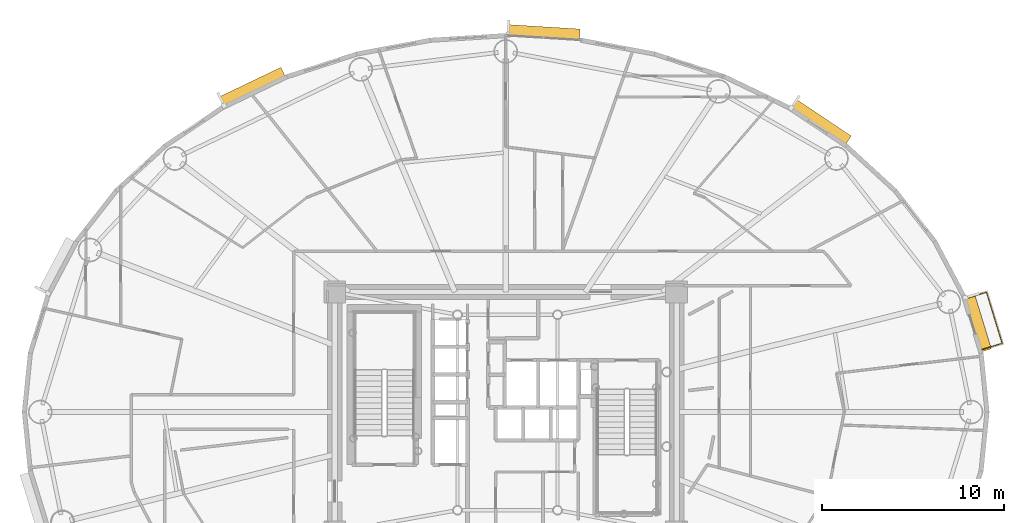
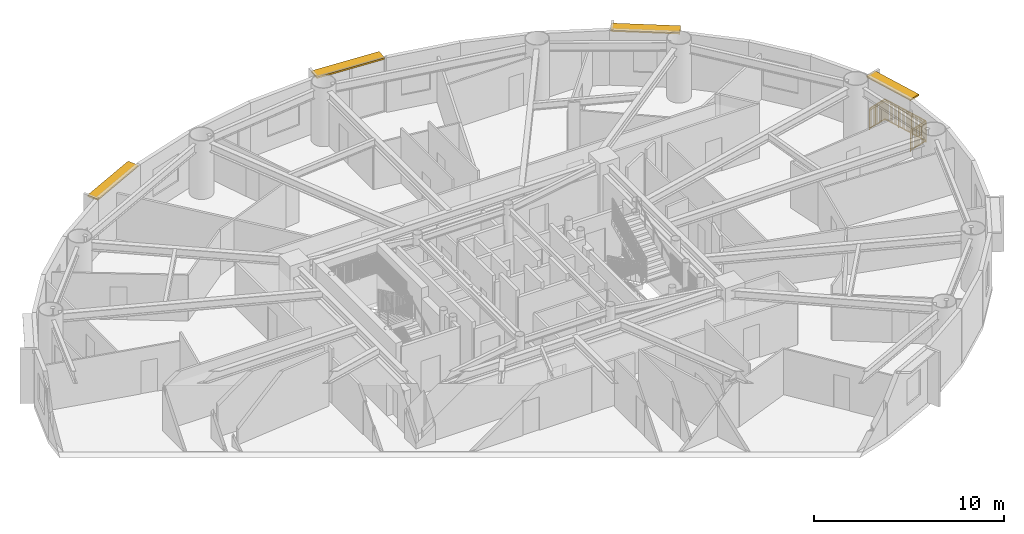
# One storey, part 18 of 18: 4 shading devices, 1 railing.
"""IFC4 building model written with IfcOpenShell, lengths in metres."""

from ifc_helpers import new_model, si_unit, direction, frame, origin, origin_2d, place, context, subcontext, project, spatial, rectangle, extrude, source, transform, mapped, material, layer, layer_set, type_object, element, save


model = new_model("IFC4")

# Units and contexts
model_context = context("Model", 3, precision=1e-05, world=origin(), true_north=direction((0.0, 1.0)))
body_context = subcontext(model_context, "Body", "Model", "MODEL_VIEW")
ifc_project = project(units=[si_unit("LENGTHUNIT", "METRE"), si_unit("AREAUNIT", "SQUARE_METRE"), si_unit("VOLUMEUNIT", "CUBIC_METRE"), si_unit("PLANEANGLEUNIT", "RADIAN"), si_unit("MASSUNIT", "GRAM", prefix="KILO")], contexts=[model_context])

# Site, building, storey
site_placement = place(None, origin())
site = spatial("IfcSite", under=ifc_project, at=site_placement, CompositionType="ELEMENT")
building_placement = place(site_placement, origin())
building = spatial("IfcBuilding", under=site, at=building_placement, Name="Linh Dai School and Residence Tower", CompositionType="ELEMENT")
storey_placement = place(building_placement, frame((0.0, 0.0, 178.64990234375)))
storey = spatial("IfcBuildingStorey", under=building, at=storey_placement, Name="L43", CompositionType="ELEMENT", Elevation=178.64990234375)

# Shading devices
ifc_material_1 = material(Name="Terracotta Ceramic Sunshade", Category="masonry")
ifc_layer = layer(ifc_material_1, 0.10009765625)
ifc_layer_set = layer_set([ifc_layer], Name="Terracotta Ceramic Sunshade")
shading_device_type = type_object("IfcShadingDeviceType", Name="SHD-TC-650", PredefinedType="USERDEFINED", material=ifc_layer_set)
shared_shape_1 = source(origin(), body_context, "Body", "SweptSolid", [
    extrude(rectangle(XDim=3.168212890625, YDim=0.64990234375, at=origin_2d()), origin(), (0.0, 0.0, 1.0), 0.10009765625),
])
shading_device_1_placement = place(storey_placement, frame((61.938720703125, 31.894775390625, 3.380126953125), z_axis=(0.0, 0.0, 1.0), x_axis=(0.293121969301, -0.956075055167, 0.0)))
element("IfcShadingDevice", 1, at=shading_device_1_placement, inside=storey, type_object=shading_device_type, Name="L43 Terracotta Horizontal Sunshade Band 02", ObjectType="SUNSHADE", PredefinedType="USERDEFINED", context=body_context, shape_type="MappedRepresentation", body=[
    mapped(shared_shape_1, transform((0.0, 0.0, 0.0), x_axis=(1.0, 0.0, 0.0), y_axis=(0.0, 1.0, 0.0), z_axis=(0.0, 0.0, 1.0), scale=1.0)),
])
shared_shape_2 = source(origin(), body_context, "Body", "SweptSolid", [
    extrude(rectangle(XDim=3.64794921875, YDim=0.64990234375, at=origin_2d()), origin(), (0.0, 0.0, 1.0), 0.10009765625),
])
shading_device_2_placement = place(storey_placement, frame((53.31103515625, 42.923828125, 3.380126953125), z_axis=(0.0, 0.0, 1.0), x_axis=(0.831228338651, -0.555931154932, 0.0)))
element("IfcShadingDevice", 2, at=shading_device_2_placement, inside=storey, type_object=shading_device_type, Name="L43 Terracotta Horizontal Sunshade Band 06", ObjectType="SUNSHADE", PredefinedType="USERDEFINED", context=body_context, shape_type="MappedRepresentation", body=[
    mapped(shared_shape_2, transform((0.0, 0.0, 0.0), x_axis=(1.0, 0.0, 0.0), y_axis=(0.0, 1.0, 0.0), z_axis=(0.0, 0.0, 1.0), scale=1.0)),
])
shared_shape_3 = source(origin(), body_context, "Body", "SweptSolid", [
    extrude(rectangle(XDim=3.987548828125, YDim=0.64990234375, at=origin_2d()), origin(), (0.0, 0.0, 1.0), 0.10009765625),
])
shading_device_3_placement = place(storey_placement, frame((38.09033203125, 47.86181640625, 3.380126953125), z_axis=(0.0, 0.0, 1.0), x_axis=(0.99810632076, -0.061512376467, 0.0)))
element("IfcShadingDevice", 3, at=shading_device_3_placement, inside=storey, type_object=shading_device_type, Name="L43 Terracotta Horizontal Sunshade Band 10", ObjectType="SUNSHADE", PredefinedType="USERDEFINED", context=body_context, shape_type="MappedRepresentation", body=[
    mapped(shared_shape_3, transform((0.0, 0.0, 0.0), x_axis=(1.0, 0.0, 0.0), y_axis=(0.0, 1.0, 0.0), z_axis=(0.0, 0.0, 1.0), scale=1.0)),
])
shared_shape_4 = source(origin(), body_context, "Body", "SweptSolid", [
    extrude(rectangle(XDim=3.773193359375, YDim=0.64990234375, at=origin_2d()), origin(), (0.0, 0.0, 1.0), 0.10009765625),
])
shading_device_4_placement = place(storey_placement, frame((22.0751953125, 44.850341796875, 3.380126953125), z_axis=(0.0, 0.0, 1.0), x_axis=(0.901569306779, 0.432634701653, 0.0)))
element("IfcShadingDevice", 4, at=shading_device_4_placement, inside=storey, type_object=shading_device_type, Name="L43 Terracotta Horizontal Sunshade Band 14", ObjectType="SUNSHADE", PredefinedType="USERDEFINED", context=body_context, shape_type="MappedRepresentation", body=[
    mapped(shared_shape_4, transform((0.0, 0.0, 0.0), x_axis=(1.0, 0.0, 0.0), y_axis=(0.0, 1.0, 0.0), z_axis=(0.0, 0.0, 1.0), scale=1.0)),
])

# Railing
ifc_material_2 = material(Name="Structural Steel S355JR", Category="steel")
railing_type = type_object("IfcRailingType", Name="RL-BAL-1400", PredefinedType="BALUSTRADE", material=ifc_material_2)
shared_shape_5 = source(origin(), body_context, "Body", "SweptSolid", [
    extrude(rectangle(XDim=0.048095703125, YDim=0.048095703125, at=origin_2d()), frame((0.0, 0.0, 1.3759765625), z_axis=(0.95606039398, 0.293169785386, 0.0), x_axis=(-0.293169785386, 0.95606039398, 0.0)), (0.0, 0.0, 1.0), 1.179931640625),
    extrude(rectangle(XDim=0.048095703125, YDim=0.048095703125, at=origin_2d()), frame((0.0, 0.0, 0.10009765625), z_axis=(0.95606039398, 0.293169785386, 0.0), x_axis=(-0.293169785386, 0.95606039398, 0.0)), (0.0, 0.0, 1.0), 1.179931640625),
    extrude(rectangle(XDim=0.030029296875, YDim=0.030029296875, at=origin_2d()), frame((0.0, 0.0, 1.239990234375), z_axis=(0.95606039398, 0.293169785386, 0.0), x_axis=(-0.293169785386, 0.95606039398, 0.0)), (0.0, 0.0, 1.0), 1.179931640625),
    extrude(rectangle(XDim=0.02001953125, YDim=0.02001953125, at=origin_2d()), frame((0.086669921875, 0.026611328125, 0.10009765625)), (0.0, 0.0, 1.0), 1.251708984375),
    extrude(rectangle(XDim=0.02001953125, YDim=0.02001953125, at=origin_2d()), frame((0.173583984375, 0.05322265625, 0.10009765625)), (0.0, 0.0, 1.0), 1.251708984375),
    extrude(rectangle(XDim=0.02001953125, YDim=0.02001953125, at=origin_2d()), frame((0.26025390625, 0.079833984375, 0.10009765625)), (0.0, 0.0, 1.0), 1.251708984375),
    extrude(rectangle(XDim=0.02001953125, YDim=0.02001953125, at=origin_2d()), frame((0.34716796875, 0.1064453125, 0.10009765625)), (0.0, 0.0, 1.0), 1.251708984375),
    extrude(rectangle(XDim=0.02001953125, YDim=0.02001953125, at=origin_2d()), frame((0.433837890625, 0.133056640625, 0.10009765625)), (0.0, 0.0, 1.0), 1.251708984375),
    extrude(rectangle(XDim=0.02001953125, YDim=0.02001953125, at=origin_2d()), frame((0.520751953125, 0.15966796875, 0.10009765625)), (0.0, 0.0, 1.0), 1.251708984375),
    extrude(rectangle(XDim=0.02001953125, YDim=0.02001953125, at=origin_2d()), frame((0.607421875, 0.186279296875, 0.10009765625)), (0.0, 0.0, 1.0), 1.251708984375),
    extrude(rectangle(XDim=0.02001953125, YDim=0.02001953125, at=origin_2d()), frame((0.6943359375, 0.212890625, 0.10009765625)), (0.0, 0.0, 1.0), 1.251708984375),
    extrude(rectangle(XDim=0.02001953125, YDim=0.02001953125, at=origin_2d()), frame((0.781005859375, 0.239501953125, 0.10009765625)), (0.0, 0.0, 1.0), 1.251708984375),
    extrude(rectangle(XDim=0.02001953125, YDim=0.02001953125, at=origin_2d()), frame((0.867919921875, 0.26611328125, 0.10009765625)), (0.0, 0.0, 1.0), 1.251708984375),
    extrude(rectangle(XDim=0.02001953125, YDim=0.02001953125, at=origin_2d()), frame((0.95458984375, 0.292724609375, 0.10009765625)), (0.0, 0.0, 1.0), 1.251708984375),
    extrude(rectangle(XDim=0.02001953125, YDim=0.02001953125, at=origin_2d()), frame((1.04150390625, 0.3193359375, 0.10009765625)), (0.0, 0.0, 1.0), 1.251708984375),
    extrude(rectangle(XDim=0.048095703125, YDim=0.048095703125, at=origin_2d()), frame((1.128173828125, 0.345947265625, 1.3759765625), z_axis=(0.293117094057, -0.956076549849, 0.0), x_axis=(0.956076549849, 0.293117094057, 0.0)), (0.0, 0.0, 1.0), 2.940185546875),
    extrude(rectangle(XDim=0.048095703125, YDim=0.048095703125, at=origin_2d()), frame((1.128173828125, 0.345947265625, 0.10009765625), z_axis=(0.293117094057, -0.956076549849, 0.0), x_axis=(0.956076549849, 0.293117094057, 0.0)), (0.0, 0.0, 1.0), 2.940185546875),
    extrude(rectangle(XDim=0.030029296875, YDim=0.030029296875, at=origin_2d()), frame((1.128173828125, 0.345947265625, 1.239990234375), z_axis=(0.293117094057, -0.956076549849, 0.0), x_axis=(0.956076549849, 0.293117094057, 0.0)), (0.0, 0.0, 1.0), 2.940185546875),
    extrude(rectangle(XDim=0.02001953125, YDim=0.02001953125, at=origin_2d()), frame((1.156005859375, 0.25537109375, 0.10009765625)), (0.0, 0.0, 1.0), 1.251708984375),
    extrude(rectangle(XDim=0.02001953125, YDim=0.02001953125, at=origin_2d()), frame((1.183837890625, 0.16455078125, 0.10009765625)), (0.0, 0.0, 1.0), 1.251708984375),
    extrude(rectangle(XDim=0.02001953125, YDim=0.02001953125, at=origin_2d()), frame((1.211669921875, 0.073974609375, 0.10009765625)), (0.0, 0.0, 1.0), 1.251708984375),
    extrude(rectangle(XDim=0.02001953125, YDim=0.02001953125, at=origin_2d()), frame((1.2392578125, -0.016845703125, 0.10009765625)), (0.0, 0.0, 1.0), 1.251708984375),
    extrude(rectangle(XDim=0.02001953125, YDim=0.02001953125, at=origin_2d()), frame((1.26708984375, -0.107421875, 0.10009765625)), (0.0, 0.0, 1.0), 1.251708984375),
    extrude(rectangle(XDim=0.02001953125, YDim=0.02001953125, at=origin_2d()), frame((1.294921875, -0.1982421875, 0.10009765625)), (0.0, 0.0, 1.0), 1.251708984375),
    extrude(rectangle(XDim=0.02001953125, YDim=0.02001953125, at=origin_2d()), frame((1.32275390625, -0.288818359375, 0.10009765625)), (0.0, 0.0, 1.0), 1.251708984375),
    extrude(rectangle(XDim=0.02001953125, YDim=0.02001953125, at=origin_2d()), frame((1.3505859375, -0.37939453125, 0.10009765625)), (0.0, 0.0, 1.0), 1.251708984375),
    extrude(rectangle(XDim=0.02001953125, YDim=0.02001953125, at=origin_2d()), frame((1.37841796875, -0.47021484375, 0.10009765625)), (0.0, 0.0, 1.0), 1.251708984375),
    extrude(rectangle(XDim=0.02001953125, YDim=0.02001953125, at=origin_2d()), frame((1.43408203125, -0.651611328125, 0.10009765625)), (0.0, 0.0, 1.0), 1.251708984375),
    extrude(rectangle(XDim=0.02001953125, YDim=0.02001953125, at=origin_2d()), frame((1.461669921875, -0.7421875, 0.10009765625)), (0.0, 0.0, 1.0), 1.251708984375),
    extrude(rectangle(XDim=0.02001953125, YDim=0.02001953125, at=origin_2d()), frame((1.489501953125, -0.832763671875, 0.10009765625)), (0.0, 0.0, 1.0), 1.251708984375),
    extrude(rectangle(XDim=0.02001953125, YDim=0.02001953125, at=origin_2d()), frame((1.517333984375, -0.923583984375, 0.10009765625)), (0.0, 0.0, 1.0), 1.251708984375),
    extrude(rectangle(XDim=0.02001953125, YDim=0.02001953125, at=origin_2d()), frame((1.545166015625, -1.01416015625, 0.10009765625)), (0.0, 0.0, 1.0), 1.251708984375),
    extrude(rectangle(XDim=0.02001953125, YDim=0.02001953125, at=origin_2d()), frame((1.572998046875, -1.10498046875, 0.10009765625)), (0.0, 0.0, 1.0), 1.251708984375),
    extrude(rectangle(XDim=0.02001953125, YDim=0.02001953125, at=origin_2d()), frame((1.600830078125, -1.195556640625, 0.10009765625)), (0.0, 0.0, 1.0), 1.251708984375),
    extrude(rectangle(XDim=0.02001953125, YDim=0.02001953125, at=origin_2d()), frame((1.628662109375, -1.286376953125, 0.10009765625)), (0.0, 0.0, 1.0), 1.251708984375),
    extrude(rectangle(XDim=0.02001953125, YDim=0.02001953125, at=origin_2d()), frame((1.656494140625, -1.376953125, 0.10009765625)), (0.0, 0.0, 1.0), 1.251708984375),
    extrude(rectangle(XDim=0.02001953125, YDim=0.02001953125, at=origin_2d()), frame((1.68408203125, -1.467529296875, 0.10009765625)), (0.0, 0.0, 1.0), 1.251708984375),
    extrude(rectangle(XDim=0.02001953125, YDim=0.02001953125, at=origin_2d()), frame((1.73974609375, -1.64892578125, 0.10009765625)), (0.0, 0.0, 1.0), 1.251708984375),
    extrude(rectangle(XDim=0.02001953125, YDim=0.02001953125, at=origin_2d()), frame((1.767578125, -1.73974609375, 0.10009765625)), (0.0, 0.0, 1.0), 1.251708984375),
    extrude(rectangle(XDim=0.02001953125, YDim=0.02001953125, at=origin_2d()), frame((1.79541015625, -1.830322265625, 0.10009765625)), (0.0, 0.0, 1.0), 1.251708984375),
    extrude(rectangle(XDim=0.02001953125, YDim=0.02001953125, at=origin_2d()), frame((1.8232421875, -1.9208984375, 0.10009765625)), (0.0, 0.0, 1.0), 1.251708984375),
    extrude(rectangle(XDim=0.02001953125, YDim=0.02001953125, at=origin_2d()), frame((1.85107421875, -2.01171875, 0.10009765625)), (0.0, 0.0, 1.0), 1.251708984375),
    extrude(rectangle(XDim=0.02001953125, YDim=0.02001953125, at=origin_2d()), frame((1.87890625, -2.102294921875, 0.10009765625)), (0.0, 0.0, 1.0), 1.251708984375),
    extrude(rectangle(XDim=0.02001953125, YDim=0.02001953125, at=origin_2d()), frame((1.906494140625, -2.193115234375, 0.10009765625)), (0.0, 0.0, 1.0), 1.251708984375),
    extrude(rectangle(XDim=0.02001953125, YDim=0.02001953125, at=origin_2d()), frame((1.934326171875, -2.28369140625, 0.10009765625)), (0.0, 0.0, 1.0), 1.251708984375),
    extrude(rectangle(XDim=0.02001953125, YDim=0.02001953125, at=origin_2d()), frame((1.962158203125, -2.37451171875, 0.10009765625)), (0.0, 0.0, 1.0), 1.251708984375),
    extrude(rectangle(XDim=0.048095703125, YDim=0.048095703125, at=origin_2d()), frame((1.989990234375, -2.465087890625, 1.3759765625), z_axis=(-0.95606039398, -0.293169785386, 0.0), x_axis=(0.293169785386, -0.95606039398, 0.0)), (0.0, 0.0, 1.0), 1.179931640625),
    extrude(rectangle(XDim=0.048095703125, YDim=0.048095703125, at=origin_2d()), frame((1.989990234375, -2.465087890625, 0.10009765625), z_axis=(-0.95606039398, -0.293169785386, 0.0), x_axis=(0.293169785386, -0.95606039398, 0.0)), (0.0, 0.0, 1.0), 1.179931640625),
    extrude(rectangle(XDim=0.030029296875, YDim=0.030029296875, at=origin_2d()), frame((1.989990234375, -2.465087890625, 1.239990234375), z_axis=(-0.95606039398, -0.293169785386, 0.0), x_axis=(0.293169785386, -0.95606039398, 0.0)), (0.0, 0.0, 1.0), 1.179931640625),
    extrude(rectangle(XDim=0.02001953125, YDim=0.02001953125, at=origin_2d()), frame((1.9033203125, -2.49169921875, 0.10009765625)), (0.0, 0.0, 1.0), 1.251708984375),
    extrude(rectangle(XDim=0.02001953125, YDim=0.02001953125, at=origin_2d()), frame((1.81640625, -2.518310546875, 0.10009765625)), (0.0, 0.0, 1.0), 1.251708984375),
    extrude(rectangle(XDim=0.02001953125, YDim=0.02001953125, at=origin_2d()), frame((1.729736328125, -2.544921875, 0.10009765625)), (0.0, 0.0, 1.0), 1.251708984375),
    extrude(rectangle(XDim=0.02001953125, YDim=0.02001953125, at=origin_2d()), frame((1.642822265625, -2.571533203125, 0.10009765625)), (0.0, 0.0, 1.0), 1.251708984375),
    extrude(rectangle(XDim=0.02001953125, YDim=0.02001953125, at=origin_2d()), frame((1.55615234375, -2.59814453125, 0.10009765625)), (0.0, 0.0, 1.0), 1.251708984375),
    extrude(rectangle(XDim=0.02001953125, YDim=0.02001953125, at=origin_2d()), frame((1.46923828125, -2.624755859375, 0.10009765625)), (0.0, 0.0, 1.0), 1.251708984375),
    extrude(rectangle(XDim=0.02001953125, YDim=0.02001953125, at=origin_2d()), frame((1.382568359375, -2.6513671875, 0.10009765625)), (0.0, 0.0, 1.0), 1.251708984375),
    extrude(rectangle(XDim=0.02001953125, YDim=0.02001953125, at=origin_2d()), frame((1.295654296875, -2.677978515625, 0.10009765625)), (0.0, 0.0, 1.0), 1.251708984375),
    extrude(rectangle(XDim=0.02001953125, YDim=0.02001953125, at=origin_2d()), frame((1.208984375, -2.70458984375, 0.10009765625)), (0.0, 0.0, 1.0), 1.251708984375),
    extrude(rectangle(XDim=0.02001953125, YDim=0.02001953125, at=origin_2d()), frame((1.1220703125, -2.731201171875, 0.10009765625)), (0.0, 0.0, 1.0), 1.251708984375),
    extrude(rectangle(XDim=0.02001953125, YDim=0.02001953125, at=origin_2d()), frame((1.035400390625, -2.7578125, 0.10009765625)), (0.0, 0.0, 1.0), 1.251708984375),
    extrude(rectangle(XDim=0.02001953125, YDim=0.02001953125, at=origin_2d()), frame((0.948486328125, -2.784423828125, 0.10009765625)), (0.0, 0.0, 1.0), 1.251708984375),
    extrude(rectangle(XDim=0.0419921875, YDim=0.0419921875, at=origin_2d()), origin(), (0.0, 0.0, 1.0), 1.3759765625),
    extrude(rectangle(XDim=0.0419921875, YDim=0.0419921875, at=origin_2d()), frame((1.128173828125, 0.345947265625, 0.0)), (0.0, 0.0, 1.0), 1.3759765625),
    extrude(rectangle(XDim=0.0419921875, YDim=0.0419921875, at=origin_2d()), frame((1.41552734375, -0.591064453125, 0.0)), (0.0, 0.0, 1.0), 1.3759765625),
    extrude(rectangle(XDim=0.0419921875, YDim=0.0419921875, at=origin_2d()), frame((1.70263671875, -1.528076171875, 0.0)), (0.0, 0.0, 1.0), 1.3759765625),
    extrude(rectangle(XDim=0.0419921875, YDim=0.0419921875, at=origin_2d()), frame((1.989990234375, -2.465087890625, 0.0)), (0.0, 0.0, 1.0), 1.3759765625),
    extrude(rectangle(XDim=0.0419921875, YDim=0.0419921875, at=origin_2d()), frame((0.86181640625, -2.81103515625, 0.0)), (0.0, 0.0, 1.0), 1.3759765625),
])
railing_placement = place(storey_placement, frame((61.316650390625, 33.24169921875, 0.0)))
element("IfcRailing", 5, at=railing_placement, inside=storey, type_object=railing_type, Name="L43 Balcony Safety Balustrade 02", PredefinedType="BALUSTRADE", context=body_context, shape_type="MappedRepresentation", body=[
    mapped(shared_shape_5, transform((0.0, 0.0, 0.0), x_axis=(1.0, 0.0, 0.0), y_axis=(0.0, 1.0, 0.0), z_axis=(0.0, 0.0, 1.0), scale=1.0)),
])

save(model, "model.ifc")
